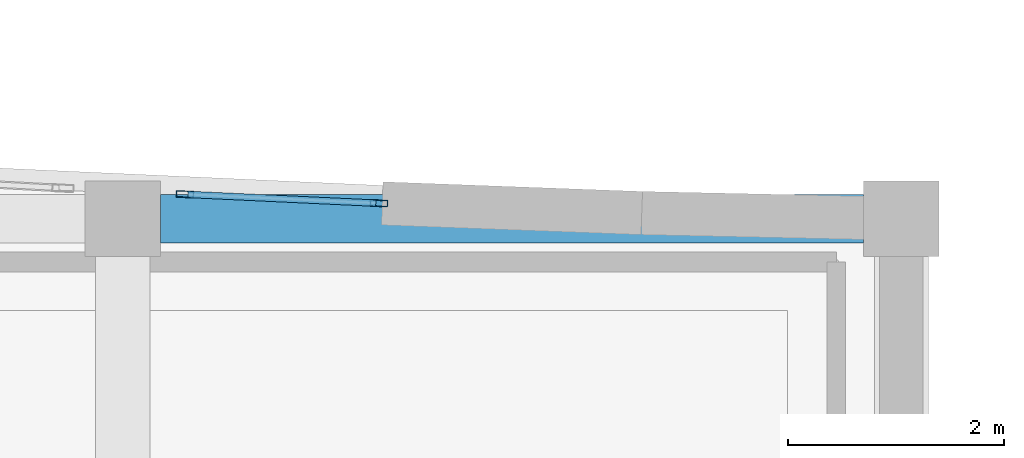
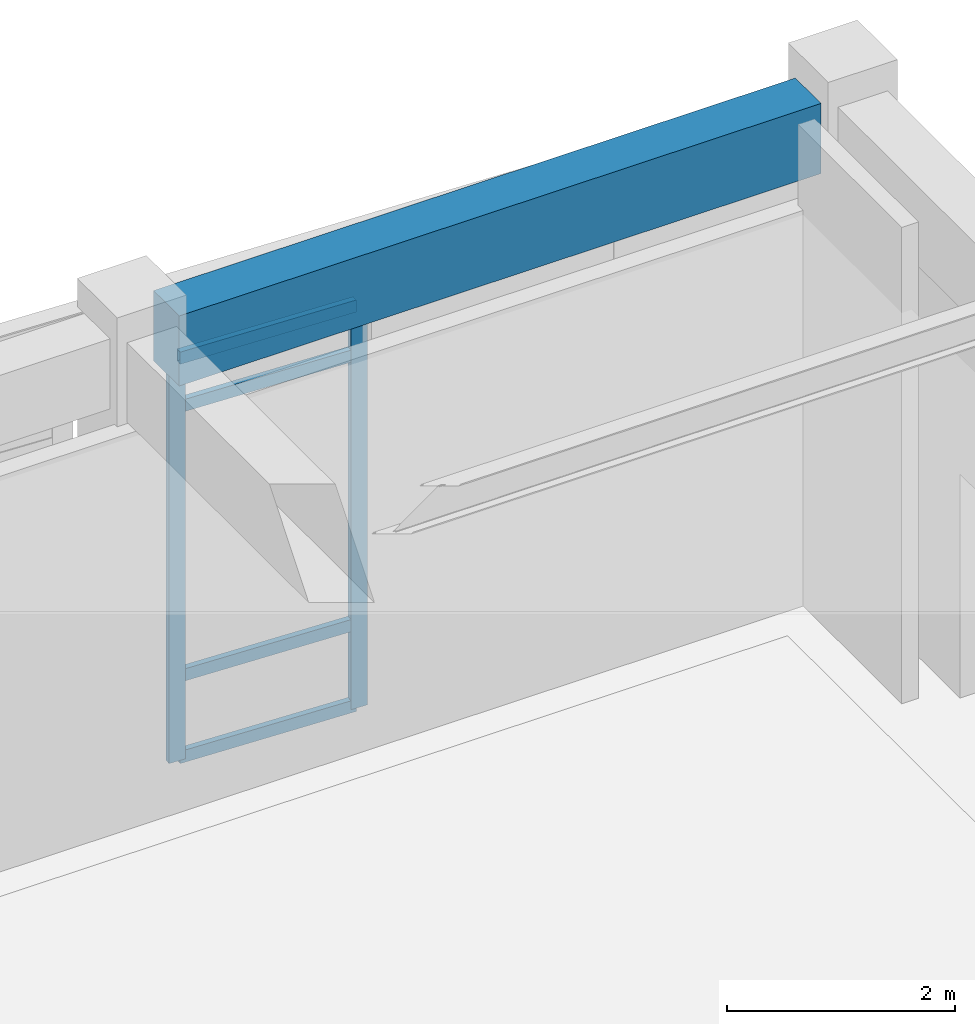
# One storey, part 60 of 102: 6 members, 1 beam, 1 element without a shape of its own.
"""IFC4 building model written with IfcOpenShell, lengths in metres."""

import ifcopenshell
import ifcopenshell.guid

model = None  # the IFC model being written
_history = None  # IfcOwnerHistory: only IFC2X3 demands one
_inside = {}  # id of a spatial element -> (the spatial element, [elements in it])
_under = {}  # id of a project, library or spatial element -> (it, [spatial elements below it])
_declared = {}  # id of a project -> (the project, [libraries it declares])
_typed = {}  # id of a type object -> (the type object, [elements of that type])
_made_of = {}  # id of a material, layer set ... -> (it, [elements and type objects made of it])


def new_model(schema):
    """Start an empty IFC model of exactly this schema.

    Asked for "IFC4X3", IfcOpenShell would pick the latest addendum, in which some entities
    have other attributes; the version numbers below select the first issue.
    IFC2X3 requires an IfcOwnerHistory on every rooted entity: one is made here for all.
    """
    global model, _history
    if schema == "IFC4X3":
        model = ifcopenshell.file(schema_version=(4, 3, 0, 0))
    else:
        model = ifcopenshell.file(schema=schema)
    _inside.clear()
    _under.clear()
    _declared.clear()
    _typed.clear()
    _made_of.clear()
    _history = None
    if model.schema == "IFC2X3":
        org = make("IfcOrganization", Name="unknown")
        user = make(
            "IfcPersonAndOrganization",
            ThePerson=make("IfcPerson", FamilyName="unknown"),
            TheOrganization=org,
        )
        app = make(
            "IfcApplication",
            ApplicationDeveloper=org,
            Version="unknown",
            ApplicationFullName="unknown",
            ApplicationIdentifier="unknown",
        )
        _history = make(
            "IfcOwnerHistory",
            OwningUser=user,
            OwningApplication=app,
            ChangeAction="ADDED",
            CreationDate=0,
        )
    return model


def make(cls, **values):
    """One entity of the class cls with the attributes given. An attribute that is None is left unset."""
    return model.create_entity(
        cls, **{name: value for name, value in values.items() if value is not None}
    )


def rooted(cls, **values):
    """An entity with a GlobalId (a new one), such as an element, a storey or a relation."""
    return make(cls, GlobalId=ifcopenshell.guid.new(), OwnerHistory=_history, **values)


def si_unit(unit_type, name, prefix=None):
    """IfcSIUnit, for example si_unit("LENGTHUNIT", "METRE", prefix="MILLI")."""
    return make("IfcSIUnit", UnitType=unit_type, Prefix=prefix, Name=name)


def assignment(units):
    """IfcUnitAssignment: the units of a project."""
    return None if units is None else make("IfcUnitAssignment", Units=units)


def point(xyz):
    """IfcCartesianPoint."""
    return None if xyz is None else make("IfcCartesianPoint", Coordinates=xyz)


def direction(xyz):
    """IfcDirection."""
    return None if xyz is None else make("IfcDirection", DirectionRatios=xyz)


def frame(location, z_axis=None, x_axis=None):
    """IfcAxis2Placement3D, a coordinate frame: its origin and axes. An axis left out is left unset."""
    return make(
        "IfcAxis2Placement3D",
        Location=point(location),
        Axis=direction(z_axis),
        RefDirection=direction(x_axis),
    )


def frame_2d(location, x_axis=None):
    """IfcAxis2Placement2D, a coordinate frame in the plane: its origin and x axis."""
    return make(
        "IfcAxis2Placement2D", Location=point(location), RefDirection=direction(x_axis)
    )


def origin():
    """The frame at (0, 0, 0) with its axes left unset."""
    return frame((0.0, 0.0, 0.0))


def origin_2d():
    """The frame at (0, 0) in the plane with its x axis left unset."""
    return frame_2d((0.0, 0.0))


def place(relative_to, where):
    """IfcLocalPlacement: puts the frame where relative to a parent placement (None: the world)."""
    return make(
        "IfcLocalPlacement", PlacementRelTo=relative_to, RelativePlacement=where
    )


def context(
    kind, dimensions, precision=None, world=None, true_north=None, identifier=None
):
    """IfcGeometricRepresentationContext, for example the 3D "Model" context."""
    return make(
        "IfcGeometricRepresentationContext",
        ContextIdentifier=identifier,
        ContextType=kind,
        CoordinateSpaceDimension=dimensions,
        Precision=precision,
        WorldCoordinateSystem=world,
        TrueNorth=true_north,
    )


def subcontext(parent, identifier, kind, view, scale=None):
    """IfcGeometricRepresentationSubContext, for example "Body" below "Model"."""
    return make(
        "IfcGeometricRepresentationSubContext",
        ContextIdentifier=identifier,
        ContextType=kind,
        ParentContext=parent,
        TargetScale=scale,
        TargetView=view,
    )


def project(units=None, contexts=None):
    """IfcProject with its units and contexts."""
    return rooted(
        "IfcProject",
        Name="project",
        RepresentationContexts=contexts,
        UnitsInContext=assignment(units),
    )


def spatial(cls, under=None, at=None, **own):
    """A site, building, storey or space (cls), placed at a placement, below another one or the project."""
    s = rooted(cls, ObjectPlacement=at, **own)
    if under is not None:
        _under.setdefault(under.id(), (under, []))[1].append(s)
    return s


def profile(cls, at=None, kind="AREA", **sizes):
    """A parametric profile (cls). Its sizes go by their IFC names, for example OverallWidth=200.0."""
    return make(cls, ProfileType=kind, Position=at, **sizes)


def rectangle(**sizes):
    """IfcRectangleProfileDef."""
    return profile("IfcRectangleProfileDef", **sizes)


def hollow_rectangle(**sizes):
    """IfcRectangleHollowProfileDef."""
    return profile("IfcRectangleHollowProfileDef", **sizes)


def extrude(swept, where, along, depth):
    """IfcExtrudedAreaSolid: the profile swept, set in the frame where, extruded along a direction by depth."""
    return make(
        "IfcExtrudedAreaSolid",
        SweptArea=swept,
        Position=where,
        ExtrudedDirection=direction(along),
        Depth=depth,
    )


def shape(context_of_items, identifier, shape_type, items):
    """IfcShapeRepresentation: the items that make up one representation, for example the "Body"."""
    return make(
        "IfcShapeRepresentation",
        ContextOfItems=context_of_items,
        RepresentationIdentifier=identifier,
        RepresentationType=shape_type,
        Items=items,
    )


def material(Name=None, Category=None):
    """IfcMaterial."""
    return make("IfcMaterial", Name=Name, Category=Category)


def layer(
    of_material, thickness, ventilated=None, Name=None, Category=None, Priority=None
):
    """IfcMaterialLayer: one layer of a wall or slab, of a material (None: an air gap)."""
    return make(
        "IfcMaterialLayer",
        Material=of_material,
        LayerThickness=thickness,
        IsVentilated=ventilated,
        Name=Name,
        Category=Category,
        Priority=Priority,
    )


def layer_set(layers, Name=None):
    """IfcMaterialLayerSet."""
    return make("IfcMaterialLayerSet", MaterialLayers=layers, LayerSetName=Name)


def material_profile(
    of_material, cross_section, Name=None, Category=None, Priority=None
):
    """IfcMaterialProfile: a cross section and its material."""
    return make(
        "IfcMaterialProfile",
        Name=Name,
        Material=of_material,
        Profile=cross_section,
        Priority=Priority,
        Category=Category,
    )


def profile_set(profiles, Name=None, composite=None):
    """IfcMaterialProfileSet."""
    return make(
        "IfcMaterialProfileSet",
        Name=Name,
        MaterialProfiles=profiles,
        CompositeProfile=composite,
    )


def made_of(thing, what):
    """Note that an element or type object is made of a material, layer set ...; save() writes the relation."""
    if what is not None:
        _made_of.setdefault(what.id(), (what, []))[1].append(thing)
    return thing


def type_object(cls, material=None, **own):
    """A type object (cls), such as IfcWallType, which elements share."""
    return made_of(rooted(cls, **own), material)


def element(
    cls,
    number,
    at=None,
    inside=None,
    cuts=None,
    type_object=None,
    material=None,
    context=None,
    identifier="Body",
    shape_type=None,
    held_by="IfcProductDefinitionShape",
    body=None,
    shapes=None,
    **own,
):
    """One element of the class cls, such as IfcWall. Its Tag is "e" and its number.

    at: its placement. inside: the storey or other place that contains it. cuts: it is an
    opening in that element (IfcRelVoidsElement). A single representation is given by context,
    identifier, shape_type and body (its items); several are given by shapes. held_by: the class
    of the entity that holds the representations. save() writes the other relations.
    """
    e = rooted(cls, Tag="e%d" % number, ObjectPlacement=at, **own)
    if body is not None:
        shapes = [shape(context, identifier, shape_type, body)]
    if shapes is not None:
        e.Representation = make(held_by, Representations=shapes)
    if inside is not None:
        _inside.setdefault(inside.id(), (inside, []))[1].append(e)
    if cuts is not None:
        rooted(
            "IfcRelVoidsElement", RelatingBuildingElement=cuts, RelatedOpeningElement=e
        )
    if type_object is not None:
        _typed.setdefault(type_object.id(), (type_object, []))[1].append(e)
    return made_of(e, material)


def aggregate(whole, parts):
    """IfcRelAggregates: a whole, such as a stair, and the parts it consists of."""
    return rooted("IfcRelAggregates", RelatingObject=whole, RelatedObjects=parts)


def save(model, path):
    """Write the relations noted so far, then the file.

    IfcRelAggregates (storeys below a building ...), IfcRelContainedInSpatialStructure (elements
    in a storey), IfcRelDefinesByType, IfcRelAssociatesMaterial and IfcRelDeclares: one each for
    every whole, place, type object, material and project.
    """
    for whole, parts in _under.values():
        aggregate(whole, parts)
    for where, things in _inside.values():
        rooted(
            "IfcRelContainedInSpatialStructure",
            RelatedElements=things,
            RelatingStructure=where,
        )
    for kind, things in _typed.values():
        rooted("IfcRelDefinesByType", RelatedObjects=things, RelatingType=kind)
    for what, things in _made_of.values():
        rooted("IfcRelAssociatesMaterial", RelatedObjects=things, RelatingMaterial=what)
    for by, libraries in _declared.values():
        rooted("IfcRelDeclares", RelatingContext=by, RelatedDefinitions=libraries)
    model.write(path)


model = new_model("IFC4")

# Units and contexts
model_context = context("Model", 3, precision=1e-05, world=origin(), true_north=direction((0.0, 1.0)))
body_context = subcontext(model_context, "Body", "Model", "MODEL_VIEW")
ifc_project = project(units=[si_unit("LENGTHUNIT", "METRE"), si_unit("AREAUNIT", "SQUARE_METRE"), si_unit("VOLUMEUNIT", "CUBIC_METRE"), si_unit("PLANEANGLEUNIT", "RADIAN"), si_unit("MASSUNIT", "GRAM", prefix="KILO")], contexts=[model_context])

# Site, building, storey
site_placement = place(None, origin())
site = spatial("IfcSite", under=ifc_project, at=site_placement, CompositionType="ELEMENT")
building_placement = place(site_placement, origin())
building = spatial("IfcBuilding", under=site, at=building_placement, Name="Carrowvane Square Congress Hotel", CompositionType="ELEMENT")
storey_placement = place(building_placement, origin())
storey = spatial("IfcBuildingStorey", under=building, at=storey_placement, Name="L00", CompositionType="ELEMENT", Elevation=0.0)

# Beam
ifc_material_1 = material(Name="Concrete C35/45", Category="concrete")
ifc_material_profile_1 = material_profile(ifc_material_1, rectangle(XDim=0.449951171875, YDim=0.75, at=origin_2d()), Name="RC 450x750")
ifc_profile_set_1 = profile_set([ifc_material_profile_1], Name="Concrete C35/45")
beam_type = type_object("IfcBeamType", Name="BM-RC-450x750", PredefinedType="USERDEFINED", material=ifc_profile_set_1)
beam_placement = place(storey_placement, frame((155.949951171875, 113.39990234375, 4.72509765625), z_axis=(1.0, 0.0, 0.0), x_axis=(0.0, 1.0, 0.0)))
element("IfcBeam", 1, at=beam_placement, inside=storey, type_object=beam_type, Name="L01 girder R/21-22", ObjectType="GIRDER", PredefinedType="USERDEFINED", context=body_context, shape_type="SweptSolid", body=[
    extrude(rectangle(XDim=0.449951171875, YDim=0.75, at=origin_2d()), origin(), (0.0, 0.0, 1.0), 6.5),
])

# Curtain wall, members
ifc_material_2 = material(Name="Anodised aluminium", Category="aluminium")
ifc_layer = layer(ifc_material_2, 0.18603515625)
ifc_layer_set = layer_set([ifc_layer], Name="Anodised aluminium")
curtain_wall_type = type_object("IfcCurtainWallType", Name="CW-SYS-3", PredefinedType="NOTDEFINED", material=ifc_layer_set)
curtain_wall_placement = place(storey_placement, origin())
curtain_wall = element("IfcCurtainWall", 2, at=curtain_wall_placement, inside=storey, type_object=curtain_wall_type, Name="L00 unitised curtain wall 50", PredefinedType="NOTDEFINED")
ifc_material_3 = material(Name="Anodised aluminium", Category="aluminium")
ifc_material_profile_2 = material_profile(ifc_material_3, hollow_rectangle(XDim=0.06005859375, YDim=0.159912109375, WallThickness=0.00390625, at=origin_2d()), Name="CW-ML 60x160x4")
ifc_profile_set_2 = profile_set([ifc_material_profile_2], Name="Anodised aluminium")
member_type_1 = type_object("IfcMemberType", Name="CW-MUL-1", PredefinedType="MULLION", material=ifc_profile_set_2)
member_1_placement = place(storey_placement, frame((156.17431640625, 113.6259765625, 0.0), z_axis=(0.0, 0.0, 1.0), x_axis=(0.04651698979, 0.998917498926, 0.0)))
member_1 = element("IfcMember", 3, at=member_1_placement, type_object=member_type_1, Name="CW-3 mullion 1", PredefinedType="MULLION", context=body_context, shape_type="SweptSolid", body=[
    extrude(hollow_rectangle(XDim=0.06005859375, YDim=0.159912109375, WallThickness=0.00390625, at=origin_2d()), origin(), (0.0, 0.0, 1.0), 4.3349609375),
])
member_2_placement = place(storey_placement, frame((157.969970703125, 113.54248046875, 0.0), z_axis=(0.0, 0.0, 1.0), x_axis=(0.04651698979, 0.998917498926, 0.0)))
member_2 = element("IfcMember", 4, at=member_2_placement, type_object=member_type_1, Name="CW-3 mullion 2", PredefinedType="MULLION", context=body_context, shape_type="SweptSolid", body=[
    extrude(hollow_rectangle(XDim=0.06005859375, YDim=0.159912109375, WallThickness=0.00390625, at=origin_2d()), origin(), (0.0, 0.0, 1.0), 4.3349609375),
])
ifc_material_4 = material(Name="Anodised aluminium", Category="aluminium")
ifc_material_profile_3 = material_profile(ifc_material_4, hollow_rectangle(XDim=0.06005859375, YDim=0.1298828125, WallThickness=0.00390625, at=origin_2d()), Name="CW-TR 60x130x4")
ifc_profile_set_3 = profile_set([ifc_material_profile_3], Name="Anodised aluminium")
member_type_2 = type_object("IfcMemberType", Name="CW-TRN-1", PredefinedType="USERDEFINED", material=ifc_profile_set_3)
member_3_placement = place(storey_placement, frame((156.204345703125, 113.62451171875, 0.030029296875), z_axis=(0.998918113854, -0.046503782797, 0.0), x_axis=(0.046503782797, 0.998918113854, 0.0)))
member_3 = element("IfcMember", 5, at=member_3_placement, type_object=member_type_2, Name="CW-3 transom 1.1", ObjectType="TRANSOM", PredefinedType="USERDEFINED", context=body_context, shape_type="SweptSolid", body=[
    extrude(hollow_rectangle(XDim=0.06005859375, YDim=0.1298828125, WallThickness=0.00390625, at=origin_2d()), origin(), (0.0, 0.0, 1.0), 1.73779296875),
])
member_4_placement = place(storey_placement, frame((156.204345703125, 113.62451171875, 0.89990234375), z_axis=(0.998918113854, -0.046503782797, 0.0), x_axis=(0.046503782797, 0.998918113854, 0.0)))
member_4 = element("IfcMember", 6, at=member_4_placement, type_object=member_type_2, Name="CW-3 transom 1.2", ObjectType="TRANSOM", PredefinedType="USERDEFINED", context=body_context, shape_type="SweptSolid", body=[
    extrude(hollow_rectangle(XDim=0.06005859375, YDim=0.1298828125, WallThickness=0.00390625, at=origin_2d()), origin(), (0.0, 0.0, 1.0), 1.73779296875),
])
member_5_placement = place(storey_placement, frame((156.204345703125, 113.62451171875, 3.784912109375), z_axis=(0.998918113854, -0.046503782797, 0.0), x_axis=(0.046503782797, 0.998918113854, 0.0)))
member_5 = element("IfcMember", 7, at=member_5_placement, type_object=member_type_2, Name="CW-3 transom 1.3", ObjectType="TRANSOM", PredefinedType="USERDEFINED", context=body_context, shape_type="SweptSolid", body=[
    extrude(hollow_rectangle(XDim=0.06005859375, YDim=0.1298828125, WallThickness=0.00390625, at=origin_2d()), origin(), (0.0, 0.0, 1.0), 1.73779296875),
])
member_6_placement = place(storey_placement, frame((156.204345703125, 113.62451171875, 4.304931640625), z_axis=(0.998918113854, -0.046503782797, 0.0), x_axis=(0.046503782797, 0.998918113854, 0.0)))
member_6 = element("IfcMember", 8, at=member_6_placement, type_object=member_type_2, Name="CW-3 transom 1.4", ObjectType="TRANSOM", PredefinedType="USERDEFINED", context=body_context, shape_type="SweptSolid", body=[
    extrude(hollow_rectangle(XDim=0.06005859375, YDim=0.1298828125, WallThickness=0.00390625, at=origin_2d()), origin(), (0.0, 0.0, 1.0), 1.73779296875),
])
aggregate(curtain_wall, [member_1, member_2, member_3, member_4, member_5, member_6])

save(model, "model.ifc")
